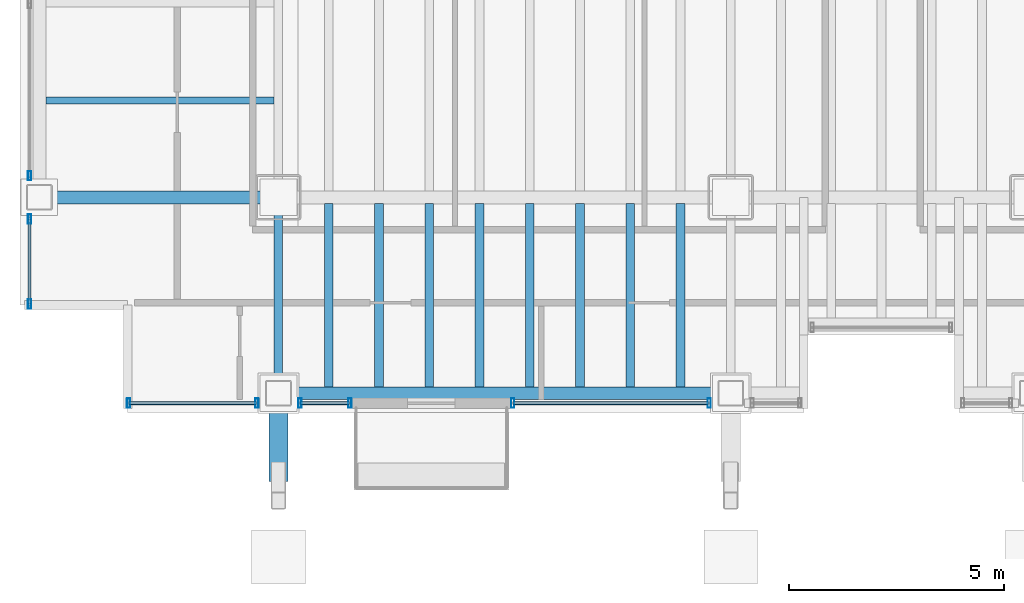
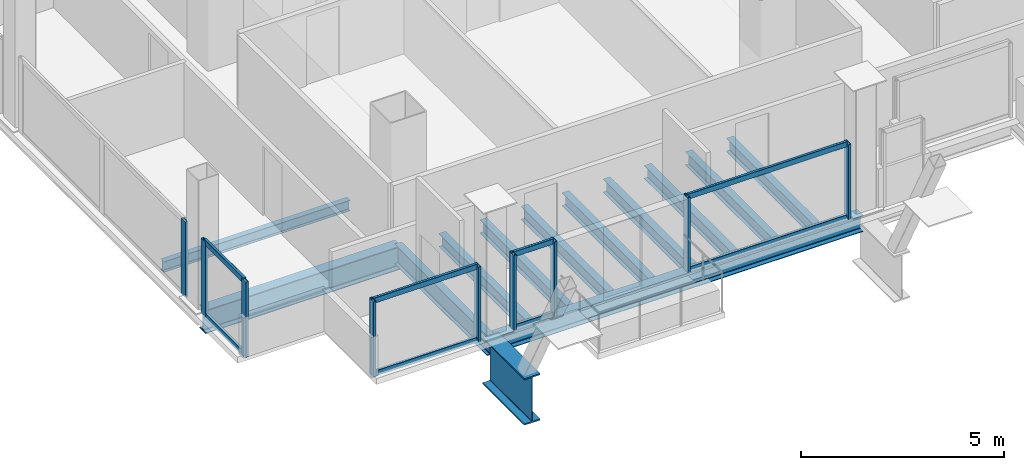
# One storey, part 2 of 21: 17 members, 13 beams, 5 elements without a shape of their own.
"""IFC4 building model written with IfcOpenShell, lengths in metres."""

from ifc_helpers import new_model, si_unit, direction, frame, origin, origin_2d, place, context, subcontext, project, spatial, hollow_rectangle, i_section, extrude, material, material_profile, profile_set, type_object, element, aggregate, save


model = new_model("IFC4")

# Units and contexts
model_context = context("Model", 3, precision=1e-05, world=origin(), true_north=direction((0.0, 1.0)))
body_context = subcontext(model_context, "Body", "Model", "MODEL_VIEW")
ifc_project = project(units=[si_unit("LENGTHUNIT", "METRE"), si_unit("AREAUNIT", "SQUARE_METRE"), si_unit("VOLUMEUNIT", "CUBIC_METRE"), si_unit("PLANEANGLEUNIT", "RADIAN"), si_unit("MASSUNIT", "GRAM", prefix="KILO")], contexts=[model_context])

# Site, building, storey
site_placement = place(None, origin())
site = spatial("IfcSite", under=ifc_project, at=site_placement, CompositionType="ELEMENT")
building_placement = place(site_placement, origin())
building = spatial("IfcBuilding", under=site, at=building_placement, Name="Noeulbin Bourse Tower", CompositionType="ELEMENT")
storey_placement = place(building_placement, frame((0.0, 0.0, 77.199951171875)))
storey = spatial("IfcBuildingStorey", under=building, at=storey_placement, Name="L19", CompositionType="ELEMENT", Elevation=77.199951171875)

# Beams
ifc_material_1 = material(Name="Steel S355", Category="steel")
ifc_material_profile_1 = material_profile(ifc_material_1, i_section(OverallWidth=0.199951171875, OverallDepth=0.60009765625, WebThickness=0.010986328125, FlangeThickness=0.01708984375, FilletRadius=0.02197265625, at=origin_2d()), Name="H-600x200x11x17", Category="LoadBearing")
ifc_profile_set_1 = profile_set([ifc_material_profile_1], Name="Steel S355")
beam_type_1 = type_object("IfcBeamType", Name="BM-GRD-600", PredefinedType="USERDEFINED", material=ifc_profile_set_1)
beam_1_placement = place(storey_placement, frame((13.5, 15.449951171875, -0.47998046875), z_axis=(0.0, 1.0, 0.0), x_axis=(-1.0, 0.0, 0.0)))
element("IfcBeam", 1, at=beam_1_placement, inside=storey, type_object=beam_type_1, Name="Tower Primary Girder NS L19-1.1", ObjectType="GIRDER", PredefinedType="USERDEFINED", context=body_context, shape_type="SweptSolid", body=[
    extrude(i_section(OverallWidth=0.199951171875, OverallDepth=0.60009765625, WebThickness=0.010986328125, FlangeThickness=0.01708984375, FilletRadius=0.02197265625, at=origin_2d()), origin(), (0.0, 0.0, 1.0), 4.550048828125),
])
ifc_material_profile_2 = material_profile(ifc_material_1, i_section(OverallWidth=0.300048828125, OverallDepth=0.699951171875, WebThickness=0.012939453125, FlangeThickness=0.02392578125, FilletRadius=0.02392578125, at=origin_2d()), Name="H-700x300x13x24", Category="LoadBearing")
ifc_profile_set_2 = profile_set([ifc_material_profile_2], Name="Steel S355")
beam_type_2 = type_object("IfcBeamType", Name="BM-GRD-700", PredefinedType="USERDEFINED", material=ifc_profile_set_2)
beam_2_placement = place(storey_placement, frame((7.949951171875, 20.0, -0.530029296875), z_axis=(1.0, 0.0, 0.0), x_axis=(0.0, 1.0, 0.0)))
element("IfcBeam", 2, at=beam_2_placement, inside=storey, type_object=beam_type_2, Name="Tower Primary Girder EW L19-1.1", ObjectType="GIRDER", PredefinedType="USERDEFINED", context=body_context, shape_type="SweptSolid", body=[
    extrude(i_section(OverallWidth=0.300048828125, OverallDepth=0.699951171875, WebThickness=0.012939453125, FlangeThickness=0.02392578125, FilletRadius=0.02392578125, at=origin_2d()), origin(), (0.0, 0.0, 1.0), 5.550048828125),
])
ifc_material_profile_3 = material_profile(ifc_material_1, i_section(OverallWidth=0.159912109375, OverallDepth=0.320068359375, WebThickness=0.006591796875, FlangeThickness=0.010009765625, FilletRadius=0.012939453125, at=origin_2d()), Name="H-320x160x6.5x10", Category="LoadBearing")
ifc_profile_set_3 = profile_set([ifc_material_profile_3], Name="Steel S355")
beam_type_3 = type_object("IfcBeamType", Name="BM-JST-320", PredefinedType="JOIST", material=ifc_profile_set_3)
beam_3_placement = place(storey_placement, frame((8.10009765625, 22.25, -0.33984375), z_axis=(1.0, 0.0, 0.0), x_axis=(0.0, 1.0, 0.0)))
element("IfcBeam", 3, at=beam_3_placement, inside=storey, type_object=beam_type_3, Name="Wing Composite Joist L19-W70", PredefinedType="JOIST", context=body_context, shape_type="SweptSolid", body=[
    extrude(i_section(OverallWidth=0.159912109375, OverallDepth=0.320068359375, WebThickness=0.006591796875, FlangeThickness=0.010009765625, FilletRadius=0.012939453125, at=origin_2d()), origin(), (0.0, 0.0, 1.0), 5.2998046875),
])
ifc_material_profile_4 = material_profile(ifc_material_1, i_section(OverallWidth=0.199951171875, OverallDepth=0.39990234375, WebThickness=0.008056640625, FlangeThickness=0.012939453125, FilletRadius=0.01611328125, at=origin_2d()), Name="H-400x200x8x13", Category="LoadBearing")
ifc_profile_set_4 = profile_set([ifc_material_profile_4], Name="Steel S355")
beam_type_4 = type_object("IfcBeamType", Name="BM-SEC-400", PredefinedType="BEAM", material=ifc_profile_set_4)
for number, where, z_axis, x_axis, name in (
    (4, (14.666748046875, 15.60009765625, -0.3798828125), (0.0, 1.0, 0.0), (-1.0, 0.0, 0.0), "Tower Composite Joist L19-01"),
    (5, (15.833251953125, 15.60009765625, -0.3798828125), (0.0, 1.0, 0.0), (-1.0, 0.0, 0.0), "Tower Composite Joist L19-04"),
    (6, (17.0, 15.60009765625, -0.3798828125), (0.0, 1.0, 0.0), (-1.0, 0.0, 0.0), "Tower Composite Joist L19-07"),
    (7, (18.166748046875, 15.60009765625, -0.3798828125), (0.0, 1.0, 0.0), (-1.0, 0.0, 0.0), "Tower Composite Joist L19-10"),
    (8, (19.333251953125, 15.60009765625, -0.3798828125), (0.0, 1.0, 0.0), (-1.0, 0.0, 0.0), "Tower Composite Joist L19-13"),
    (9, (20.5, 15.60009765625, -0.3798828125), (0.0, 1.0, 0.0), (-1.0, 0.0, 0.0), "Tower Composite Joist L19-16"),
    (10, (21.666748046875, 15.60009765625, -0.3798828125), (0.0, 1.0, 0.0), (-1.0, 0.0, 0.0), "Tower Composite Joist L19-19"),
    (11, (22.833251953125, 15.60009765625, -0.3798828125), (0.0, 1.0, 0.0), (-1.0, 0.0, 0.0), "Tower Composite Joist L19-22"),
):
    element("IfcBeam", number, at=place(storey_placement, frame(where, z_axis=z_axis, x_axis=x_axis)), inside=storey, type_object=beam_type_4, Name=name, PredefinedType="BEAM", context=body_context, shape_type="SweptSolid", body=[
        extrude(i_section(OverallWidth=0.199951171875, OverallDepth=0.39990234375, WebThickness=0.008056640625, FlangeThickness=0.012939453125, FilletRadius=0.01611328125, at=origin_2d()), origin(), (0.0, 0.0, 1.0), 4.25),
    ])
ifc_material_profile_5 = material_profile(ifc_material_1, i_section(OverallWidth=0.300048828125, OverallDepth=0.488037109375, WebThickness=0.010986328125, FlangeThickness=0.01806640625, FilletRadius=0.02197265625, at=origin_2d()), Name="H-488x300x11x18", Category="LoadBearing")
ifc_profile_set_5 = profile_set([ifc_material_profile_5], Name="Steel S355")
beam_type_5 = type_object("IfcBeamType", Name="BM-SPN-488", PredefinedType="SPANDREL", material=ifc_profile_set_5)
beam_4_placement = place(storey_placement, frame((13.5, 15.449951171875, -0.424072265625), z_axis=(1.0, 0.0, 0.0), x_axis=(0.0, 1.0, 0.0)))
element("IfcBeam", 12, at=beam_4_placement, inside=storey, type_object=beam_type_5, Name="South Spandrel L19-1", PredefinedType="SPANDREL", context=body_context, shape_type="SweptSolid", body=[
    extrude(i_section(OverallWidth=0.300048828125, OverallDepth=0.488037109375, WebThickness=0.010986328125, FlangeThickness=0.01806640625, FilletRadius=0.02197265625, at=origin_2d()), origin(), (0.0, 0.0, 1.0), 10.5),
])
ifc_material_2 = material(Name="Steel S460", Category="steel")
ifc_material_profile_6 = material_profile(ifc_material_2, i_section(OverallWidth=0.449951171875, OverallDepth=1.39990234375, WebThickness=0.02392578125, FlangeThickness=0.0400390625, FilletRadius=0.02392578125, at=origin_2d()), Name="PG-1400x450x24x40", Category="LoadBearing")
ifc_profile_set_6 = profile_set([ifc_material_profile_6], Name="Steel S460")
beam_type_6 = type_object("IfcBeamType", Name="BM-TRF-1400", PredefinedType="USERDEFINED", material=ifc_profile_set_6)
beam_5_placement = place(storey_placement, frame((13.5, 13.39990234375, -0.8798828125), z_axis=(0.0, 1.0, 0.0), x_axis=(-1.0, 0.0, 0.0)))
element("IfcBeam", 13, at=beam_5_placement, inside=storey, type_object=beam_type_6, Name="Transfer Outrigger Corbel L19-01", ObjectType="GIRDER", PredefinedType="USERDEFINED", context=body_context, shape_type="SweptSolid", body=[
    extrude(i_section(OverallWidth=0.449951171875, OverallDepth=1.39990234375, WebThickness=0.02392578125, FlangeThickness=0.0400390625, FilletRadius=0.02392578125, at=origin_2d()), origin(), (0.0, 0.0, 1.0), 2.050048828125),
])

# Curtain wall, members
ifc_material_3 = material(Name="Dark Solar-Control Double Glazing", Category="glass")
curtain_wall_type = type_object("IfcCurtainWallType", Name="CW-SYS-2", PredefinedType="NOTDEFINED", material=ifc_material_3)
curtain_wall_1_placement = place(storey_placement, origin())
curtain_wall_1 = element("IfcCurtainWall", 14, at=curtain_wall_1_placement, inside=storey, type_object=curtain_wall_type, Name="Unitised Curtain Wall CW-L19-S1-S1", PredefinedType="NOTDEFINED")
ifc_material_4 = material(Name="Anodised Aluminium 6063-T6", Category="aluminium")
ifc_material_profile_7 = material_profile(ifc_material_4, hollow_rectangle(XDim=0.074951171875, YDim=0.219970703125, WallThickness=0.0048828125, InnerFilletRadius=0.00244140625, OuterFilletRadius=0.0048828125, at=origin_2d()), Name="ALU-MULL-75x220x5", Category="LoadBearing")
ifc_profile_set_7 = profile_set([ifc_material_profile_7], Name="Anodised Aluminium 6063-T6")
member_type_1 = type_object("IfcMemberType", Name="CW-SYS-2-MUL", PredefinedType="MULLION", material=ifc_profile_set_7)
member_1_placement = place(storey_placement, frame((10.02001953125, 15.219970703125, -0.02001953125), z_axis=(0.0, 0.0, 1.0), x_axis=(1.0, 0.0, 0.0)))
member_1 = element("IfcMember", 15, at=member_1_placement, type_object=member_type_1, Name="Curtain Wall Mullion CW-L19-S1-S1-M00", PredefinedType="MULLION", context=body_context, shape_type="SweptSolid", body=[
    extrude(hollow_rectangle(XDim=0.074951171875, YDim=0.219970703125, WallThickness=0.0048828125, InnerFilletRadius=0.00244140625, OuterFilletRadius=0.0048828125, at=origin_2d()), origin(), (0.0, 0.0, 1.0), 2.260009765625),
])
member_2_placement = place(storey_placement, frame((13.0, 15.219970703125, -0.02001953125), z_axis=(0.0, 0.0, 1.0), x_axis=(1.0, 0.0, 0.0)))
member_2 = element("IfcMember", 16, at=member_2_placement, type_object=member_type_1, Name="Curtain Wall Mullion CW-L19-S1-S1-M01", PredefinedType="MULLION", context=body_context, shape_type="SweptSolid", body=[
    extrude(hollow_rectangle(XDim=0.074951171875, YDim=0.219970703125, WallThickness=0.0048828125, InnerFilletRadius=0.00244140625, OuterFilletRadius=0.0048828125, at=origin_2d()), origin(), (0.0, 0.0, 1.0), 2.260009765625),
])

curtain_wall_2_placement = place(storey_placement, origin())
curtain_wall_2 = element("IfcCurtainWall", 17, at=curtain_wall_2_placement, inside=storey, type_object=curtain_wall_type, Name="Unitised Curtain Wall CW-L19-S1-S2", PredefinedType="NOTDEFINED")
member_3_placement = place(storey_placement, frame((14.0, 15.219970703125, -0.02001953125), z_axis=(0.0, 0.0, 1.0), x_axis=(1.0, 0.0, 0.0)))
member_3 = element("IfcMember", 18, at=member_3_placement, type_object=member_type_1, Name="Curtain Wall Mullion CW-L19-S1-S2-M00", PredefinedType="MULLION", context=body_context, shape_type="SweptSolid", body=[
    extrude(hollow_rectangle(XDim=0.074951171875, YDim=0.219970703125, WallThickness=0.0048828125, InnerFilletRadius=0.00244140625, OuterFilletRadius=0.0048828125, at=origin_2d()), origin(), (0.0, 0.0, 1.0), 2.260009765625),
])
member_4_placement = place(storey_placement, frame((15.159912109375, 15.219970703125, -0.02001953125), z_axis=(0.0, 0.0, 1.0), x_axis=(1.0, 0.0, 0.0)))
member_4 = element("IfcMember", 19, at=member_4_placement, type_object=member_type_1, Name="Curtain Wall Mullion CW-L19-S1-S2-M01", PredefinedType="MULLION", context=body_context, shape_type="SweptSolid", body=[
    extrude(hollow_rectangle(XDim=0.074951171875, YDim=0.219970703125, WallThickness=0.0048828125, InnerFilletRadius=0.00244140625, OuterFilletRadius=0.0048828125, at=origin_2d()), origin(), (0.0, 0.0, 1.0), 2.260009765625),
])

curtain_wall_3_placement = place(storey_placement, origin())
curtain_wall_3 = element("IfcCurtainWall", 20, at=curtain_wall_3_placement, inside=storey, type_object=curtain_wall_type, Name="Unitised Curtain Wall CW-L19-S2-S1", PredefinedType="NOTDEFINED")
member_5_placement = place(storey_placement, frame((18.93994140625, 15.219970703125, -0.02001953125), z_axis=(0.0, 0.0, 1.0), x_axis=(1.0, 0.0, 0.0)))
member_5 = element("IfcMember", 21, at=member_5_placement, type_object=member_type_1, Name="Curtain Wall Mullion CW-L19-S2-S1-M00", PredefinedType="MULLION", context=body_context, shape_type="SweptSolid", body=[
    extrude(hollow_rectangle(XDim=0.074951171875, YDim=0.219970703125, WallThickness=0.0048828125, InnerFilletRadius=0.00244140625, OuterFilletRadius=0.0048828125, at=origin_2d()), origin(), (0.0, 0.0, 1.0), 2.260009765625),
])
member_6_placement = place(storey_placement, frame((23.5, 15.219970703125, -0.02001953125), z_axis=(0.0, 0.0, 1.0), x_axis=(1.0, 0.0, 0.0)))
member_6 = element("IfcMember", 22, at=member_6_placement, type_object=member_type_1, Name="Curtain Wall Mullion CW-L19-S2-S1-M01", PredefinedType="MULLION", context=body_context, shape_type="SweptSolid", body=[
    extrude(hollow_rectangle(XDim=0.074951171875, YDim=0.219970703125, WallThickness=0.0048828125, InnerFilletRadius=0.00244140625, OuterFilletRadius=0.0048828125, at=origin_2d()), origin(), (0.0, 0.0, 1.0), 2.260009765625),
])

curtain_wall_4_placement = place(storey_placement, origin())
curtain_wall_4 = element("IfcCurtainWall", 23, at=curtain_wall_4_placement, inside=storey, type_object=curtain_wall_type, Name="Unitised Curtain Wall CW-L19-W-S1", PredefinedType="NOTDEFINED")
member_7_placement = place(storey_placement, frame((7.719970703125, 17.52001953125, -0.02001953125), z_axis=(0.0, 0.0, 1.0), x_axis=(1.0, 0.0, 0.0)))
member_7 = element("IfcMember", 24, at=member_7_placement, type_object=member_type_1, Name="Curtain Wall Mullion CW-L19-W-S1-M00", PredefinedType="MULLION", context=body_context, shape_type="SweptSolid", body=[
    extrude(hollow_rectangle(XDim=0.074951171875, YDim=0.219970703125, WallThickness=0.0048828125, InnerFilletRadius=0.00244140625, OuterFilletRadius=0.0048828125, at=origin_2d()), origin(), (0.0, 0.0, 1.0), 2.260009765625),
])
member_8_placement = place(storey_placement, frame((7.719970703125, 19.5, -0.02001953125), z_axis=(0.0, 0.0, 1.0), x_axis=(1.0, 0.0, 0.0)))
member_8 = element("IfcMember", 25, at=member_8_placement, type_object=member_type_1, Name="Curtain Wall Mullion CW-L19-W-S1-M01", PredefinedType="MULLION", context=body_context, shape_type="SweptSolid", body=[
    extrude(hollow_rectangle(XDim=0.074951171875, YDim=0.219970703125, WallThickness=0.0048828125, InnerFilletRadius=0.00244140625, OuterFilletRadius=0.0048828125, at=origin_2d()), origin(), (0.0, 0.0, 1.0), 2.260009765625),
])

# Curtain wall, member
curtain_wall_5_placement = place(storey_placement, origin())
curtain_wall_5 = element("IfcCurtainWall", 26, at=curtain_wall_5_placement, inside=storey, type_object=curtain_wall_type, Name="Unitised Curtain Wall CW-L19-W-S2", PredefinedType="NOTDEFINED")
member_9_placement = place(storey_placement, frame((7.719970703125, 20.5, -0.02001953125), z_axis=(0.0, 0.0, 1.0), x_axis=(1.0, 0.0, 0.0)))
member_9 = element("IfcMember", 27, at=member_9_placement, type_object=member_type_1, Name="Curtain Wall Mullion CW-L19-W-S2-M00", PredefinedType="MULLION", context=body_context, shape_type="SweptSolid", body=[
    extrude(hollow_rectangle(XDim=0.074951171875, YDim=0.219970703125, WallThickness=0.0048828125, InnerFilletRadius=0.00244140625, OuterFilletRadius=0.0048828125, at=origin_2d()), origin(), (0.0, 0.0, 1.0), 2.260009765625),
])
aggregate(curtain_wall_5, [member_9])

# Member
ifc_material_profile_8 = material_profile(ifc_material_4, hollow_rectangle(XDim=0.074951171875, YDim=0.159912109375, WallThickness=0.0048828125, InnerFilletRadius=0.00244140625, OuterFilletRadius=0.0048828125, at=origin_2d()), Name="ALU-TRAN-75x160x5", Category="LoadBearing")
ifc_profile_set_8 = profile_set([ifc_material_profile_8], Name="Anodised Aluminium 6063-T6")
member_type_2 = type_object("IfcMemberType", Name="CW-SYS-2-TRN", PredefinedType="USERDEFINED", material=ifc_profile_set_8)
member_10_placement = place(storey_placement, frame((10.030029296875, 15.219970703125, 0.010009765625), z_axis=(1.0, 0.0, 0.0), x_axis=(0.0, 1.0, 0.0)))
member_10 = element("IfcMember", 28, at=member_10_placement, type_object=member_type_2, Name="Curtain Wall Transom CW-L19-S1-S1-T00", ObjectType="TRANSOM", PredefinedType="USERDEFINED", context=body_context, shape_type="SweptSolid", body=[
    extrude(hollow_rectangle(XDim=0.074951171875, YDim=0.159912109375, WallThickness=0.0048828125, InnerFilletRadius=0.00244140625, OuterFilletRadius=0.0048828125, at=origin_2d()), origin(), (0.0, 0.0, 1.0), 2.9599609375),
])

member_11_placement = place(storey_placement, frame((10.030029296875, 15.219970703125, 2.2099609375), z_axis=(1.0, 0.0, 0.0), x_axis=(0.0, 1.0, 0.0)))
member_11 = element("IfcMember", 29, at=member_11_placement, type_object=member_type_2, Name="Curtain Wall Transom CW-L19-S1-S1-T01", ObjectType="TRANSOM", PredefinedType="USERDEFINED", context=body_context, shape_type="SweptSolid", body=[
    extrude(hollow_rectangle(XDim=0.074951171875, YDim=0.159912109375, WallThickness=0.0048828125, InnerFilletRadius=0.00244140625, OuterFilletRadius=0.0048828125, at=origin_2d()), origin(), (0.0, 0.0, 1.0), 2.9599609375),
])

aggregate(curtain_wall_1, [member_1, member_2, member_10, member_11])

member_12_placement = place(storey_placement, frame((14.010009765625, 15.219970703125, 0.010009765625), z_axis=(1.0, 0.0, 0.0), x_axis=(0.0, 1.0, 0.0)))
member_12 = element("IfcMember", 30, at=member_12_placement, type_object=member_type_2, Name="Curtain Wall Transom CW-L19-S1-S2-T00", ObjectType="TRANSOM", PredefinedType="USERDEFINED", context=body_context, shape_type="SweptSolid", body=[
    extrude(hollow_rectangle(XDim=0.074951171875, YDim=0.159912109375, WallThickness=0.0048828125, InnerFilletRadius=0.00244140625, OuterFilletRadius=0.0048828125, at=origin_2d()), origin(), (0.0, 0.0, 1.0), 1.139892578125),
])

member_13_placement = place(storey_placement, frame((14.010009765625, 15.219970703125, 2.2099609375), z_axis=(1.0, 0.0, 0.0), x_axis=(0.0, 1.0, 0.0)))
member_13 = element("IfcMember", 31, at=member_13_placement, type_object=member_type_2, Name="Curtain Wall Transom CW-L19-S1-S2-T01", ObjectType="TRANSOM", PredefinedType="USERDEFINED", context=body_context, shape_type="SweptSolid", body=[
    extrude(hollow_rectangle(XDim=0.074951171875, YDim=0.159912109375, WallThickness=0.0048828125, InnerFilletRadius=0.00244140625, OuterFilletRadius=0.0048828125, at=origin_2d()), origin(), (0.0, 0.0, 1.0), 1.139892578125),
])

aggregate(curtain_wall_2, [member_3, member_4, member_12, member_13])

member_14_placement = place(storey_placement, frame((18.949951171875, 15.219970703125, 0.010009765625), z_axis=(1.0, 0.0, 0.0), x_axis=(0.0, 1.0, 0.0)))
member_14 = element("IfcMember", 32, at=member_14_placement, type_object=member_type_2, Name="Curtain Wall Transom CW-L19-S2-S1-T00", ObjectType="TRANSOM", PredefinedType="USERDEFINED", context=body_context, shape_type="SweptSolid", body=[
    extrude(hollow_rectangle(XDim=0.074951171875, YDim=0.159912109375, WallThickness=0.0048828125, InnerFilletRadius=0.00244140625, OuterFilletRadius=0.0048828125, at=origin_2d()), origin(), (0.0, 0.0, 1.0), 4.5400390625),
])

member_15_placement = place(storey_placement, frame((18.949951171875, 15.219970703125, 2.2099609375), z_axis=(1.0, 0.0, 0.0), x_axis=(0.0, 1.0, 0.0)))
member_15 = element("IfcMember", 33, at=member_15_placement, type_object=member_type_2, Name="Curtain Wall Transom CW-L19-S2-S1-T01", ObjectType="TRANSOM", PredefinedType="USERDEFINED", context=body_context, shape_type="SweptSolid", body=[
    extrude(hollow_rectangle(XDim=0.074951171875, YDim=0.159912109375, WallThickness=0.0048828125, InnerFilletRadius=0.00244140625, OuterFilletRadius=0.0048828125, at=origin_2d()), origin(), (0.0, 0.0, 1.0), 4.5400390625),
])

aggregate(curtain_wall_3, [member_5, member_6, member_14, member_15])

member_16_placement = place(storey_placement, frame((7.719970703125, 17.530029296875, 0.010009765625), z_axis=(0.0, 1.0, 0.0), x_axis=(-1.0, 0.0, 0.0)))
member_16 = element("IfcMember", 34, at=member_16_placement, type_object=member_type_2, Name="Curtain Wall Transom CW-L19-W-S1-T00", ObjectType="TRANSOM", PredefinedType="USERDEFINED", context=body_context, shape_type="SweptSolid", body=[
    extrude(hollow_rectangle(XDim=0.074951171875, YDim=0.159912109375, WallThickness=0.0048828125, InnerFilletRadius=0.00244140625, OuterFilletRadius=0.0048828125, at=origin_2d()), origin(), (0.0, 0.0, 1.0), 1.9599609375),
])

member_17_placement = place(storey_placement, frame((7.719970703125, 17.530029296875, 2.2099609375), z_axis=(0.0, 1.0, 0.0), x_axis=(-1.0, 0.0, 0.0)))
member_17 = element("IfcMember", 35, at=member_17_placement, type_object=member_type_2, Name="Curtain Wall Transom CW-L19-W-S1-T01", ObjectType="TRANSOM", PredefinedType="USERDEFINED", context=body_context, shape_type="SweptSolid", body=[
    extrude(hollow_rectangle(XDim=0.074951171875, YDim=0.159912109375, WallThickness=0.0048828125, InnerFilletRadius=0.00244140625, OuterFilletRadius=0.0048828125, at=origin_2d()), origin(), (0.0, 0.0, 1.0), 1.9599609375),
])

aggregate(curtain_wall_4, [member_7, member_8, member_16, member_17])

save(model, "model.ifc")
